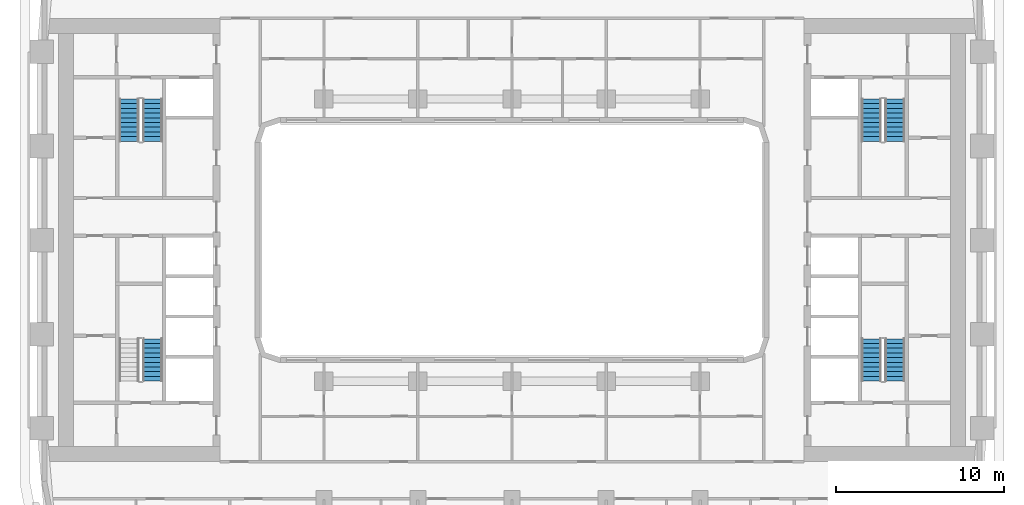
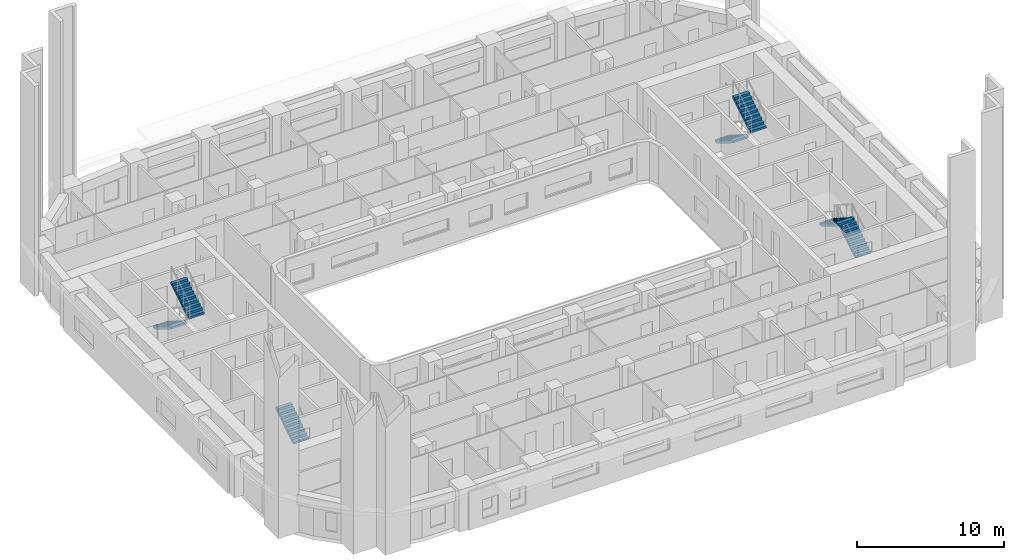
# One storey, part 10 of 22: 7 stair flights, 4 elements without a shape of their own.
"""IFC4 building model written with IfcOpenShell, lengths in metres."""

from ifc_helpers import new_model, si_unit, direction, frame, origin, place, context, subcontext, project, spatial, polyline, outline, extrude, material, type_object, element, aggregate, save


model = new_model("IFC4")

# Units and contexts
model_context = context("Model", 3, precision=1e-05, world=origin(), true_north=direction((0.0, 1.0)))
body_context = subcontext(model_context, "Body", "Model", "MODEL_VIEW")
ifc_project = project(units=[si_unit("LENGTHUNIT", "METRE"), si_unit("AREAUNIT", "SQUARE_METRE"), si_unit("VOLUMEUNIT", "CUBIC_METRE"), si_unit("PLANEANGLEUNIT", "RADIAN"), si_unit("MASSUNIT", "GRAM", prefix="KILO")], contexts=[model_context])

# Site, building, storey
site_placement = place(None, origin())
site = spatial("IfcSite", under=ifc_project, at=site_placement, CompositionType="ELEMENT")
building_placement = place(site_placement, origin())
building = spatial("IfcBuilding", under=site, at=building_placement, Name="Kiln Ring Residences", CompositionType="ELEMENT")
storey_placement = place(building_placement, frame((0.0, 0.0, 55.0)))
storey = spatial("IfcBuildingStorey", under=building, at=storey_placement, Name="L13", CompositionType="ELEMENT", Elevation=55.0)

# Stair, stair flights
ifc_material_1 = material(Name="Concrete C40/50", Category="concrete")
stair_type = type_object("IfcStairType", Name="CORE-STAIR", PredefinedType="HALF_TURN_STAIR", material=ifc_material_1)
placement = place(storey_placement, origin())
stair_1 = element("IfcStair", 1, at=placement, inside=storey, type_object=stair_type, Name="L13 stair W-STN", PredefinedType="HALF_TURN_STAIR")
ifc_material_2 = material(Name="Concrete C40/50", Category="concrete")
stair_flight_type = type_object("IfcStairFlightType", Name="CORE-STAIR-FLIGHT", PredefinedType="STRAIGHT", material=ifc_material_2)
stair_flight_1_placement = place(storey_placement, frame((-22.800048828125, 8.39990234375, 0.0), z_axis=(0.0, 0.0, 1.0), x_axis=(0.0, -1.0, 0.0)))
stair_flight_1 = element("IfcStairFlight", 2, at=stair_flight_1_placement, type_object=stair_flight_type, Name="W-STN flight 1", NumberOfRisers=10, NumberOfTreads=9, PredefinedType="STRAIGHT", RiserHeight=0.175, TreadLength=0.28, context=body_context, shape_type="SweptSolid", body=[
    extrude(outline(polyline([(0.0, 0.0), (0.0, 0.175048828125), (0.280029296875, 0.175048828125), (0.280029296875, 0.35009765625), (0.56005859375, 0.35009765625), (0.56005859375, 0.52490234375), (0.840087890625, 0.52490234375), (0.840087890625, 0.699951171875), (1.1201171875, 0.699951171875), (1.1201171875, 0.875), (1.39990234375, 0.875), (1.39990234375, 1.050048828125), (1.679931640625, 1.050048828125), (1.679931640625, 1.22509765625), (1.9599609375, 1.22509765625), (1.9599609375, 1.39990234375), (2.239990234375, 1.39990234375), (2.239990234375, 1.574951171875), (2.52001953125, 1.574951171875), (2.52001953125, 1.75), (2.52001953125, 1.398193359375), (0.28271484375, 0.0), (0.0, 0.0)])), frame((0.0, 0.60009765625, 0.0), z_axis=(0.0, -1.0, 0.0), x_axis=(1.0, 0.0, 0.0)), (0.0, 0.0, 1.0), 1.199951171875),
])
stair_flight_2_placement = place(storey_placement, frame((-21.39990234375, 5.8798828125, 1.75), z_axis=(0.0, 0.0, 1.0), x_axis=(0.0, 1.0, 0.0)))
stair_flight_2 = element("IfcStairFlight", 3, at=stair_flight_2_placement, type_object=stair_flight_type, Name="W-STN flight 2", NumberOfRisers=10, NumberOfTreads=9, PredefinedType="STRAIGHT", RiserHeight=0.175, TreadLength=0.28, context=body_context, shape_type="SweptSolid", body=[
    extrude(outline(polyline([(0.0, 0.0), (0.0, 0.175048828125), (0.280029296875, 0.175048828125), (0.280029296875, 0.35009765625), (0.56005859375, 0.35009765625), (0.56005859375, 0.52490234375), (0.840087890625, 0.52490234375), (0.840087890625, 0.699951171875), (1.1201171875, 0.699951171875), (1.1201171875, 0.875), (1.39990234375, 0.875), (1.39990234375, 1.050048828125), (1.679931640625, 1.050048828125), (1.679931640625, 1.22509765625), (1.9599609375, 1.22509765625), (1.9599609375, 1.39990234375), (2.239990234375, 1.39990234375), (2.239990234375, 1.574951171875), (2.52001953125, 1.574951171875), (2.52001953125, 1.75), (2.52001953125, 1.398193359375), (0.28271484375, 0.0), (0.0, 0.0)])), frame((0.0, 0.60009765625, 0.0), z_axis=(0.0, -1.0, 0.0), x_axis=(1.0, 0.0, 0.0)), (0.0, 0.0, 1.0), 1.199951171875),
])
aggregate(stair_1, [stair_flight_1, stair_flight_2])

# Stair, stair flight
stair_2 = element("IfcStair", 4, at=placement, inside=storey, type_object=stair_type, Name="L13 stair W-STS", PredefinedType="HALF_TURN_STAIR")
stair_flight_3_placement = place(storey_placement, frame((-21.39990234375, -8.39990234375, 0.0), z_axis=(0.0, 0.0, 1.0), x_axis=(0.0, 1.0, 0.0)))
stair_flight_3 = element("IfcStairFlight", 5, at=stair_flight_3_placement, type_object=stair_flight_type, Name="W-STS flight 1", NumberOfRisers=10, NumberOfTreads=9, PredefinedType="STRAIGHT", RiserHeight=0.175, TreadLength=0.28, context=body_context, shape_type="SweptSolid", body=[
    extrude(outline(polyline([(0.0, 0.0), (0.0, 0.175048828125), (0.280029296875, 0.175048828125), (0.280029296875, 0.35009765625), (0.56005859375, 0.35009765625), (0.56005859375, 0.52490234375), (0.840087890625, 0.52490234375), (0.840087890625, 0.699951171875), (1.1201171875, 0.699951171875), (1.1201171875, 0.875), (1.39990234375, 0.875), (1.39990234375, 1.050048828125), (1.679931640625, 1.050048828125), (1.679931640625, 1.22509765625), (1.9599609375, 1.22509765625), (1.9599609375, 1.39990234375), (2.239990234375, 1.39990234375), (2.239990234375, 1.574951171875), (2.52001953125, 1.574951171875), (2.52001953125, 1.75), (2.52001953125, 1.398193359375), (0.28271484375, 0.0), (0.0, 0.0)])), frame((0.0, 0.60009765625, 0.0), z_axis=(0.0, -1.0, 0.0), x_axis=(1.0, 0.0, 0.0)), (0.0, 0.0, 1.0), 1.199951171875),
])
aggregate(stair_2, [stair_flight_3])

# Stair, stair flights
stair_3 = element("IfcStair", 6, at=placement, inside=storey, type_object=stair_type, Name="L13 stair E-STN", PredefinedType="HALF_TURN_STAIR")
stair_flight_4_placement = place(storey_placement, frame((21.39990234375, 8.39990234375, 0.0), z_axis=(0.0, 0.0, 1.0), x_axis=(0.0, -1.0, 0.0)))
stair_flight_4 = element("IfcStairFlight", 7, at=stair_flight_4_placement, type_object=stair_flight_type, Name="E-STN flight 1", NumberOfRisers=10, NumberOfTreads=9, PredefinedType="STRAIGHT", RiserHeight=0.175, TreadLength=0.28, context=body_context, shape_type="SweptSolid", body=[
    extrude(outline(polyline([(0.0, 0.0), (0.0, 0.175048828125), (0.280029296875, 0.175048828125), (0.280029296875, 0.35009765625), (0.56005859375, 0.35009765625), (0.56005859375, 0.52490234375), (0.840087890625, 0.52490234375), (0.840087890625, 0.699951171875), (1.1201171875, 0.699951171875), (1.1201171875, 0.875), (1.39990234375, 0.875), (1.39990234375, 1.050048828125), (1.679931640625, 1.050048828125), (1.679931640625, 1.22509765625), (1.9599609375, 1.22509765625), (1.9599609375, 1.39990234375), (2.239990234375, 1.39990234375), (2.239990234375, 1.574951171875), (2.52001953125, 1.574951171875), (2.52001953125, 1.75), (2.52001953125, 1.398193359375), (0.28271484375, 0.0), (0.0, 0.0)])), frame((0.0, 0.60009765625, 0.0), z_axis=(0.0, -1.0, 0.0), x_axis=(1.0, 0.0, 0.0)), (0.0, 0.0, 1.0), 1.199951171875),
])
stair_flight_5_placement = place(storey_placement, frame((22.800048828125, 5.8798828125, 1.75), z_axis=(0.0, 0.0, 1.0), x_axis=(0.0, 1.0, 0.0)))
stair_flight_5 = element("IfcStairFlight", 8, at=stair_flight_5_placement, type_object=stair_flight_type, Name="E-STN flight 2", NumberOfRisers=10, NumberOfTreads=9, PredefinedType="STRAIGHT", RiserHeight=0.175, TreadLength=0.28, context=body_context, shape_type="SweptSolid", body=[
    extrude(outline(polyline([(0.0, 0.0), (0.0, 0.175048828125), (0.280029296875, 0.175048828125), (0.280029296875, 0.35009765625), (0.56005859375, 0.35009765625), (0.56005859375, 0.52490234375), (0.840087890625, 0.52490234375), (0.840087890625, 0.699951171875), (1.1201171875, 0.699951171875), (1.1201171875, 0.875), (1.39990234375, 0.875), (1.39990234375, 1.050048828125), (1.679931640625, 1.050048828125), (1.679931640625, 1.22509765625), (1.9599609375, 1.22509765625), (1.9599609375, 1.39990234375), (2.239990234375, 1.39990234375), (2.239990234375, 1.574951171875), (2.52001953125, 1.574951171875), (2.52001953125, 1.75), (2.52001953125, 1.398193359375), (0.28271484375, 0.0), (0.0, 0.0)])), frame((0.0, 0.60009765625, 0.0), z_axis=(0.0, -1.0, 0.0), x_axis=(1.0, 0.0, 0.0)), (0.0, 0.0, 1.0), 1.199951171875),
])
aggregate(stair_3, [stair_flight_4, stair_flight_5])

stair_4 = element("IfcStair", 9, at=placement, inside=storey, type_object=stair_type, Name="L13 stair E-STS", PredefinedType="HALF_TURN_STAIR")
stair_flight_6_placement = place(storey_placement, frame((22.800048828125, -8.39990234375, 0.0), z_axis=(0.0, 0.0, 1.0), x_axis=(0.0, 1.0, 0.0)))
stair_flight_6 = element("IfcStairFlight", 10, at=stair_flight_6_placement, type_object=stair_flight_type, Name="E-STS flight 1", NumberOfRisers=10, NumberOfTreads=9, PredefinedType="STRAIGHT", RiserHeight=0.175, TreadLength=0.28, context=body_context, shape_type="SweptSolid", body=[
    extrude(outline(polyline([(0.0, 0.0), (0.0, 0.175048828125), (0.280029296875, 0.175048828125), (0.280029296875, 0.35009765625), (0.56005859375, 0.35009765625), (0.56005859375, 0.52490234375), (0.840087890625, 0.52490234375), (0.840087890625, 0.699951171875), (1.1201171875, 0.699951171875), (1.1201171875, 0.875), (1.39990234375, 0.875), (1.39990234375, 1.050048828125), (1.679931640625, 1.050048828125), (1.679931640625, 1.22509765625), (1.9599609375, 1.22509765625), (1.9599609375, 1.39990234375), (2.239990234375, 1.39990234375), (2.239990234375, 1.574951171875), (2.52001953125, 1.574951171875), (2.52001953125, 1.75), (2.52001953125, 1.398193359375), (0.28271484375, 0.0), (0.0, 0.0)])), frame((0.0, 0.60009765625, 0.0), z_axis=(0.0, -1.0, 0.0), x_axis=(1.0, 0.0, 0.0)), (0.0, 0.0, 1.0), 1.199951171875),
])
stair_flight_7_placement = place(storey_placement, frame((21.39990234375, -5.8798828125, 1.75), z_axis=(0.0, 0.0, 1.0), x_axis=(0.0, -1.0, 0.0)))
stair_flight_7 = element("IfcStairFlight", 11, at=stair_flight_7_placement, type_object=stair_flight_type, Name="E-STS flight 2", NumberOfRisers=10, NumberOfTreads=9, PredefinedType="STRAIGHT", RiserHeight=0.175, TreadLength=0.28, context=body_context, shape_type="SweptSolid", body=[
    extrude(outline(polyline([(0.0, 0.0), (0.0, 0.175048828125), (0.280029296875, 0.175048828125), (0.280029296875, 0.35009765625), (0.56005859375, 0.35009765625), (0.56005859375, 0.52490234375), (0.840087890625, 0.52490234375), (0.840087890625, 0.699951171875), (1.1201171875, 0.699951171875), (1.1201171875, 0.875), (1.39990234375, 0.875), (1.39990234375, 1.050048828125), (1.679931640625, 1.050048828125), (1.679931640625, 1.22509765625), (1.9599609375, 1.22509765625), (1.9599609375, 1.39990234375), (2.239990234375, 1.39990234375), (2.239990234375, 1.574951171875), (2.52001953125, 1.574951171875), (2.52001953125, 1.75), (2.52001953125, 1.398193359375), (0.28271484375, 0.0), (0.0, 0.0)])), frame((0.0, 0.60009765625, 0.0), z_axis=(0.0, -1.0, 0.0), x_axis=(1.0, 0.0, 0.0)), (0.0, 0.0, 1.0), 1.199951171875),
])
aggregate(stair_4, [stair_flight_6, stair_flight_7])

save(model, "model.ifc")
